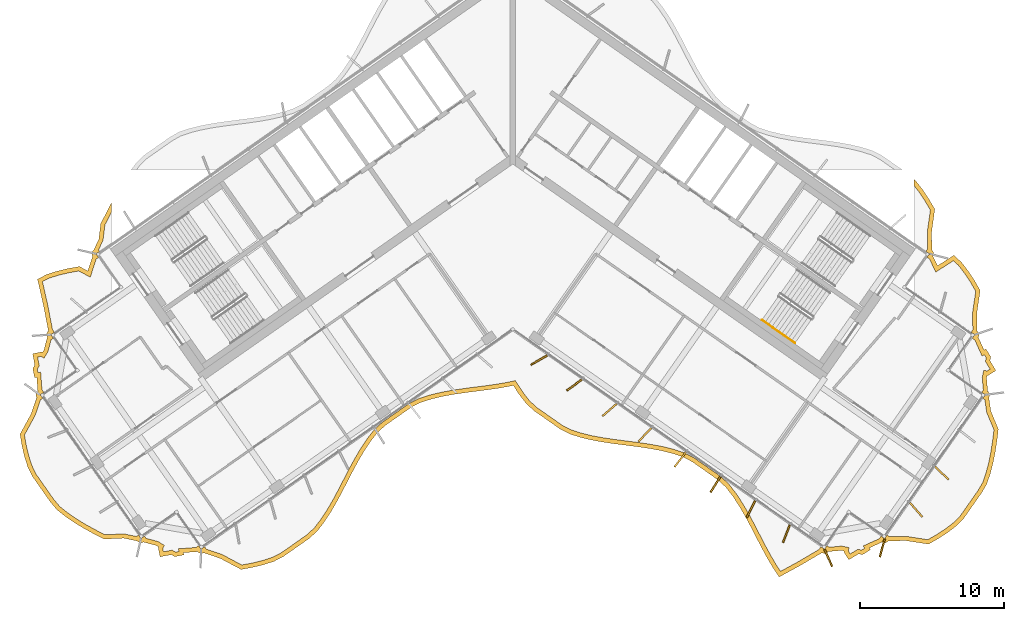
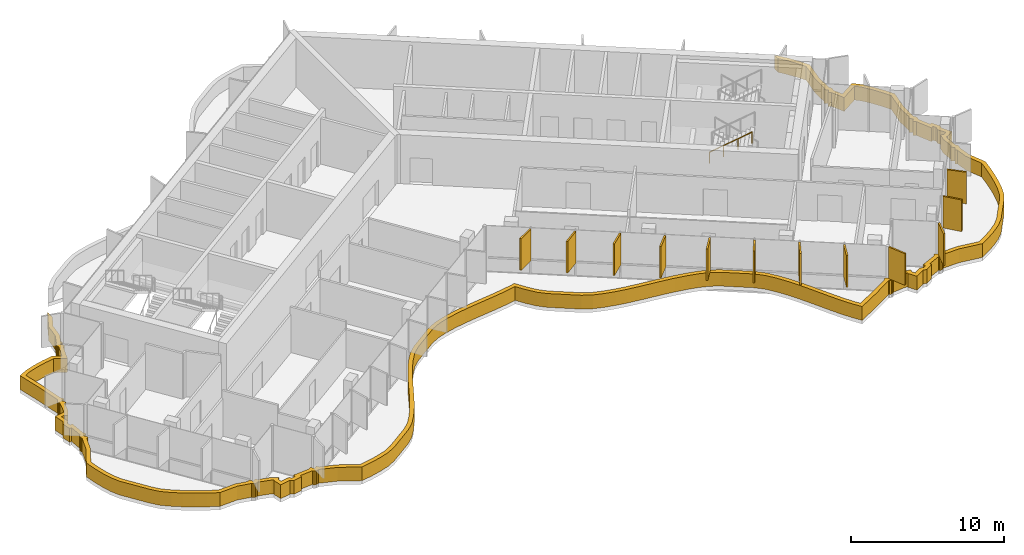
# One storey, part 18 of 20: 13 shading devices, 1 railing.
"""IFC4 building model written with IfcOpenShell, lengths in metres."""

from ifc_helpers import new_model, si_unit, direction, frame, origin, origin_2d, place, context, subcontext, project, spatial, polyline, rectangle, circle, outline, extrude, material, layer, layer_set, type_object, element, save


model = new_model("IFC4")

# Units and contexts
model_context = context("Model", 3, precision=1e-05, world=origin(), true_north=direction((0.0, 1.0)))
body_context = subcontext(model_context, "Body", "Model", "MODEL_VIEW")
ifc_project = project(units=[si_unit("LENGTHUNIT", "METRE"), si_unit("AREAUNIT", "SQUARE_METRE"), si_unit("VOLUMEUNIT", "CUBIC_METRE"), si_unit("PLANEANGLEUNIT", "RADIAN"), si_unit("MASSUNIT", "GRAM", prefix="KILO")], contexts=[model_context])

# Site, building, storey
site_placement = place(None, origin())
site = spatial("IfcSite", under=ifc_project, at=site_placement, CompositionType="ELEMENT")
building_placement = place(site_placement, origin())
building = spatial("IfcBuilding", under=site, at=building_placement, Name="Tel Ilan Convention Tower", CompositionType="ELEMENT")
storey_placement = place(building_placement, frame((0.0, 0.0, 233.199951171875)))
storey = spatial("IfcBuildingStorey", under=building, at=storey_placement, Name="L54", CompositionType="ELEMENT", Elevation=233.199951171875)

# Shading devices
ifc_material_1 = material(Name="Aluminium, bronze anodised", Category="aluminium")
ifc_layer_1 = layer(ifc_material_1, 0.1201171875)
ifc_layer_set_1 = layer_set([ifc_layer_1], Name="FIN BRONZE 1300x120")
shading_device_type_1 = type_object("IfcShadingDeviceType", Name="FIN BRONZE 1300x120", PredefinedType="USERDEFINED", material=ifc_layer_set_1)
for number, where, z_axis, x_axis, name in (
    (1, (1.830078125, -14.84912109375, 1.10009765625), (0.0, 0.0, 1.0), (-0.866025403784, -0.5, 0.0), "FIN"),
    (2, (4.2744140625, -16.583251953125, 1.10009765625), (0.0, 0.0, 1.0), (-0.813552070258, -0.581492071294, 0.0), "FIN"),
    (3, (6.723876953125, -18.3134765625, 1.10009765625), (0.0, 0.0, 1.0), (-0.753435896329, -0.657521368568, 0.0), "FIN"),
    (4, (9.177978515625, -20.039794921875, 1.10009765625), (0.0, 0.0, 1.0), (-0.686241637865, -0.727373641577, 0.0), "FIN"),
    (5, (11.636474609375, -21.761474609375, 1.10009765625), (0.0, 0.0, 1.0), (-0.612600545196, -0.790392669516, 0.0), "FIN"),
    (6, (14.09521484375, -23.483154296875, 1.10009765625), (0.0, 0.0, 1.0), (-0.533204432798, -0.845986425922, 0.0), "FIN"),
    (7, (16.553955078125, -25.20458984375, 1.10009765625), (0.0, 0.0, 1.0), (-0.448799180206, -0.893632640321, 0.0), "FIN"),
    (8, (19.015380859375, -26.920166015625, 1.10009765625), (0.0, 0.0, 1.0), (-0.360177724803, -0.932883704733, 0.0), "FIN"),
    (9, (21.930419921875, -28.595947265625, 1.10009765625), (0.0, 0.0, 1.0), (0.404964282034, -0.914332505315, 0.0), "FIN"),
    (10, (25.678955078125, -27.903564453125, 1.10009765625), (0.0, 0.0, 1.0), (-0.258819045103, -0.965925826289, 0.0), "FIN"),
    (11, (28.03125, -25.25048828125, 1.10009765625), (0.0, 0.0, 1.0), (0.657521368568, -0.753435896329, 0.0), "FIN"),
    (12, (29.8212890625, -22.705078125, 1.10009765625), (0.0, 0.0, 1.0), (0.727373641577, -0.686241637865, 0.0), "FIN"),
):
    element("IfcShadingDevice", number, at=place(storey_placement, frame(where, z_axis=z_axis, x_axis=x_axis)), inside=storey, type_object=shading_device_type_1, Name=name, ObjectType="FIN", PredefinedType="USERDEFINED", context=body_context, shape_type="SweptSolid", body=[
        extrude(rectangle(XDim=1.300048828125, YDim=0.1201171875, at=origin_2d()), origin(), (0.0, 0.0, 1.0), 2.52001953125),
    ])
ifc_material_2 = material(Name="Aluminium, bronze anodised", Category="aluminium")
ifc_layer_2 = layer(ifc_material_2, 0.300048828125)
ifc_layer_set_2 = layer_set([ifc_layer_2], Name="LOUVRE BAND 300x1100")
shading_device_type_2 = type_object("IfcShadingDeviceType", Name="LOUVRE BAND 300x1100", PredefinedType="USERDEFINED", material=ifc_layer_set_2)
shading_device_placement = place(storey_placement, origin())
element("IfcShadingDevice", 13, at=shading_device_placement, inside=storey, type_object=shading_device_type_2, Name="LOUVRE BAND 42.01", ObjectType="LOUVRE", PredefinedType="USERDEFINED", context=body_context, shape_type="SweptSolid", body=[
    extrude(outline(polyline([(-33.47021484375, -18.574462890625), (-34.248779296875, -19.995849609375), (-34.1181640625, -20.780517578125), (-33.940185546875, -21.531982421875), (-33.7158203125, -22.2509765625), (-33.401611328125, -22.906982421875), (-32.166748046875, -24.670654296875), (-31.707763671875, -25.22509765625), (-31.125732421875, -25.69384765625), (-30.49462890625, -26.1279296875), (-29.82373046875, -26.5341796875), (-29.12353515625, -26.920166015625), (-28.398193359375, -27.288330078125), (-27.05419921875, -27.223388671875), (-26.083984375, -27.420166015625), (-26.05517578125, -27.46337890625), (-25.957763671875, -27.5283203125), (-25.843017578125, -27.55126953125), (-25.728271484375, -27.5283203125), (-25.674072265625, -27.492431640625), (-24.7724609375, -27.73388671875), (-24.61669921875, -27.828857421875), (-24.64697265625, -27.878662109375), (-24.51416015625, -28.518310546875), (-23.728759765625, -28.3701171875), (-23.49462890625, -28.5126953125), (-22.855224609375, -28.3798828125), (-22.8828125, -28.233154296875), (-21.90576171875, -28.15673828125), (-21.876953125, -28.2001953125), (-21.779541015625, -28.26513671875), (-21.664794921875, -28.2880859375), (-21.550048828125, -28.26513671875), (-21.49609375, -28.22900390625), (-20.311279296875, -28.64013671875), (-18.883544921875, -29.3984375), (-18.087646484375, -29.25439453125), (-17.32080078125, -29.068359375), (-16.588623046875, -28.833251953125), (-15.931640625, -28.490478515625), (-14.12646484375, -27.226318359375), (-13.582763671875, -26.721923828125), (-13.1123046875, -26.113037109375), (-12.67626953125, -25.454833984375), (-12.267333984375, -24.7578125), (-11.877197265625, -24.033935546875), (-11.11572265625, -22.56005859375), (-10.724853515625, -21.83740234375), (-10.314697265625, -21.142333984375), (-9.877197265625, -20.486572265625), (-9.404541015625, -19.88037109375), (-8.85498046875, -19.384765625), (-7.049560546875, -18.12060546875), (-6.386474609375, -17.78662109375), (-5.65234375, -17.55419921875), (-4.884033203125, -17.370849609375), (-4.088623046875, -17.225830078125), (-3.274658203125, -17.107421875), (-1.629150390625, -16.895751953125), (-0.816650390625, -16.775146484375), (0.033203125, -16.6123046875), (0.470458984375, -17.269775390625), (0.94189453125, -17.877197265625), (1.488525390625, -18.377197265625), (3.2939453125, -19.641357421875), (3.953857421875, -19.979736328125), (4.68701171875, -20.213623046875), (5.45458984375, -20.398193359375), (6.24951171875, -20.5439453125), (7.06298828125, -20.6630859375), (8.70849609375, -20.87451171875), (9.521240234375, -20.99462890625), (10.314697265625, -21.142333984375), (11.080810546875, -21.329345703125), (11.811767578125, -21.56591796875), (12.4658203125, -21.912841796875), (14.27099609375, -23.177001953125), (14.811767578125, -23.685791015625), (15.28125, -24.29638671875), (15.71630859375, -24.95556640625), (16.12451171875, -25.653564453125), (16.51416015625, -26.3779296875), (17.27587890625, -27.851806640625), (17.6669921875, -28.573974609375), (18.077880859375, -29.26806640625), (18.5185546875, -29.91943359375), (19.969482421875, -29.128173828125), (21.49609375, -28.22900390625), (21.550048828125, -28.26513671875), (21.664794921875, -28.2880859375), (21.779541015625, -28.26513671875), (21.876953125, -28.2001953125), (21.90576171875, -28.15673828125), (22.8359375, -28.075439453125), (23.0146484375, -28.111328125), (23.003173828125, -28.168701171875), (23.3466796875, -28.72412109375), (24.0341796875, -28.316162109375), (24.302734375, -28.370361328125), (24.8583984375, -28.02685546875), (24.7822265625, -27.8984375), (25.674072265625, -27.492431640625), (25.728271484375, -27.5283203125), (25.843017578125, -27.55126953125), (25.957763671875, -27.5283203125), (26.05517578125, -27.46337890625), (26.083984375, -27.420166015625), (27.2958984375, -27.392578125), (28.897705078125, -27.637939453125), (29.59033203125, -27.246826171875), (30.235595703125, -26.82275390625), (30.83447265625, -26.365966796875), (31.343505859375, -25.846435546875), (32.578369140625, -24.082763671875), (32.942626953125, -23.461669921875), (33.183837890625, -22.75439453125), (33.376220703125, -22.012939453125), (33.5283203125, -21.243408203125), (33.6513671875, -20.45361328125), (33.749267578125, -19.64599609375), (33.228759765625, -18.405517578125), (33.081787109375, -17.426513671875), (33.11767578125, -17.372314453125), (33.140625, -17.257568359375), (33.11767578125, -17.142822265625), (33.052734375, -17.04541015625), (33.009521484375, -17.0166015625), (32.92822265625, -16.086669921875), (32.964111328125, -15.90771484375), (33.021240234375, -15.919189453125), (33.57666015625, -15.57568359375), (33.1689453125, -14.88818359375), (33.222900390625, -14.61962890625), (32.87939453125, -14.06396484375), (32.7509765625, -14.14013671875), (32.344970703125, -13.248291015625), (32.381103515625, -13.1943359375), (32.40380859375, -13.079345703125), (32.381103515625, -12.964599609375), (32.31591796875, -12.8671875), (32.272705078125, -12.83837890625), (32.248779296875, -11.6083984375), (32.485595703125, -10.006103515625), (32.0869140625, -9.3115234375), (31.6572265625, -8.661376953125), (31.194091796875, -8.05859375), (30.656494140625, -7.5625), (29.52001953125, -8.2939453125), (29.199951171875, -7.6279296875), (29.236083984375, -7.57373046875), (29.2587890625, -7.458984375), (29.236083984375, -7.34423828125), (29.1708984375, -7.246826171875), (29.127685546875, -7.218017578125), (29.10986328125, -5.95947265625), (29.331298828125, -4.35888671875), (28.922119140625, -3.659423828125), (28.48388671875, -3.001220703125), (28.0107421875, -2.392822265625), (27.874755859375, -2.269287109375), (27.874755859375, -2.70654296875), (28.240234375, -3.176513671875), (28.66748046875, -3.818359375), (29.02001953125, -4.420654296875), (28.809326171875, -5.941162109375), (28.829345703125, -7.12109375), (28.713134765625, -7.286865234375), (28.958740234375, -7.458984375), (28.787353515625, -7.705322265625), (28.9677734375, -7.83154296875), (29.395751953125, -8.730712890625), (30.62353515625, -7.9404296875), (30.971923828125, -8.26171875), (31.412841796875, -8.83544921875), (31.83154296875, -9.46923828125), (32.173583984375, -10.065185546875), (31.948486328125, -11.589599609375), (31.973876953125, -12.7421875), (31.858154296875, -12.9072265625), (32.103759765625, -13.079345703125), (31.932373046875, -13.32568359375), (32.110107421875, -13.449951171875), (32.615478515625, -14.5693359375), (32.779052734375, -14.472412109375), (32.905517578125, -14.676513671875), (32.85205078125, -14.942138671875), (33.16845703125, -15.475341796875), (32.964111328125, -15.6015625), (32.72900390625, -15.554443359375), (32.62548828125, -16.0703125), (32.703857421875, -16.9296875), (32.594970703125, -17.08544921875), (32.840576171875, -17.257568359375), (32.669189453125, -17.50390625), (32.80810546875, -17.60107421875), (32.937255859375, -18.486328125), (33.44189453125, -19.68896484375), (33.354248046875, -20.412353515625), (33.23291015625, -21.191162109375), (33.08349609375, -21.9462890625), (32.896240234375, -22.668212890625), (32.66845703125, -23.3359375), (32.32568359375, -23.920654296875), (31.112060546875, -25.654052734375), (30.63525390625, -26.140625), (30.06201171875, -26.577880859375), (29.43408203125, -26.99072265625), (28.840576171875, -27.32568359375), (27.31494140625, -27.091796875), (26.179931640625, -27.120849609375), (26.01513671875, -27.005615234375), (25.843017578125, -27.251220703125), (25.5966796875, -27.079833984375), (25.472412109375, -27.257568359375), (24.35302734375, -27.762939453125), (24.4501953125, -27.926513671875), (24.245849609375, -28.052734375), (23.980224609375, -27.99951171875), (23.447021484375, -28.31591796875), (23.32080078125, -28.111572265625), (23.367919921875, -27.87646484375), (22.85205078125, -27.772705078125), (21.99267578125, -27.851318359375), (21.8369140625, -27.7421875), (21.664794921875, -27.988037109375), (21.418701171875, -27.816650390625), (21.284423828125, -28.008056640625), (19.82177734375, -28.866943359375), (18.6142578125, -29.525634765625), (18.331298828125, -29.107666015625), (17.92822265625, -28.426025390625), (17.541015625, -27.71142578125), (16.779541015625, -26.238037109375), (16.38623046875, -25.506591796875), (15.97119140625, -24.797119140625), (15.525634765625, -24.1220703125), (15.034912109375, -23.48388671875), (14.4609375, -22.94384765625), (12.62255859375, -21.656494140625), (11.92919921875, -21.288818359375), (11.16259765625, -21.04052734375), (10.3779296875, -20.848876953125), (9.570556640625, -20.69873046875), (8.749755859375, -20.577392578125), (7.103759765625, -20.36572265625), (6.29833984375, -20.248046875), (5.516845703125, -20.1044921875), (4.767822265625, -19.924560546875), (4.068603515625, -19.701416015625), (3.44921875, -19.3837890625), (1.6767578125, -18.142822265625), (1.163330078125, -17.673095703125), (0.714111328125, -17.094482421875), (0.165771484375, -16.269775390625), (-0.087890625, -16.33349609375), (-0.866455078125, -16.479248046875), (-1.67041015625, -16.5986328125), (-3.315185546875, -16.81005859375), (-4.136962890625, -16.9296875), (-4.945556640625, -17.0771484375), (-5.732666015625, -17.264892578125), (-6.5, -17.5078125), (-7.203857421875, -17.8623046875), (-9.042236328125, -19.1494140625), (-9.625, -19.67529296875), (-10.12060546875, -20.310791015625), (-10.56884765625, -20.982666015625), (-10.986083984375, -21.68994140625), (-11.380859375, -22.419677734375), (-12.142578125, -23.89404296875), (-12.529052734375, -24.61083984375), (-12.930908203125, -25.2958984375), (-13.356201171875, -25.938232421875), (-13.804931640625, -26.518798828125), (-14.315185546875, -26.992431640625), (-16.087890625, -28.233642578125), (-16.704833984375, -28.555419921875), (-17.402099609375, -28.779541015625), (-18.149658203125, -28.960693359375), (-18.83447265625, -29.084716796875), (-20.19140625, -28.3642578125), (-21.302978515625, -27.981689453125), (-21.418701171875, -27.816650390625), (-21.664794921875, -27.988037109375), (-21.8369140625, -27.7421875), (-22.01513671875, -27.8671875), (-23.239990234375, -27.959228515625), (-23.20458984375, -28.14599609375), (-23.439697265625, -28.19482421875), (-23.671142578125, -28.053955078125), (-24.2802734375, -28.1689453125), (-24.3291015625, -27.933837890625), (-24.204345703125, -27.72900390625), (-24.65380859375, -27.455078125), (-25.48828125, -27.23486328125), (-25.5966796875, -27.079833984375), (-25.843017578125, -27.251220703125), (-26.01513671875, -27.005615234375), (-26.15478515625, -27.103271484375), (-27.03076171875, -26.921875), (-28.333251953125, -26.98486328125), (-28.983154296875, -26.65478515625), (-29.673583984375, -26.2744140625), (-30.331787109375, -25.8759765625), (-30.946533203125, -25.453125), (-31.495849609375, -25.010498046875), (-31.927978515625, -24.488525390625), (-33.141845703125, -22.755126953125), (-33.43603515625, -22.140869140625), (-33.650634765625, -21.45263671875), (-33.823974609375, -20.72119140625), (-33.935791015625, -20.048828125), (-33.1943359375, -18.6953125), (-32.833251953125, -17.61865234375), (-32.669189453125, -17.50390625), (-32.840576171875, -17.257568359375), (-32.594970703125, -17.08544921875), (-32.7197265625, -16.9072265625), (-32.811767578125, -15.6826171875), (-32.998779296875, -15.7177734375), (-33.047607421875, -15.482666015625), (-32.906494140625, -15.251220703125), (-33.021484375, -14.64208984375), (-32.786376953125, -14.59326171875), (-32.58154296875, -14.718017578125), (-32.3076171875, -14.268798828125), (-32.087646484375, -13.434326171875), (-31.932373046875, -13.32568359375), (-32.103759765625, -13.079345703125), (-31.858154296875, -12.9072265625), (-31.993408203125, -12.714111328125), (-32.314697265625, -11.033447265625), (-32.68798828125, -9.385986328125), (-32.26708984375, -9.168701171875), (-31.5771484375, -8.950439453125), (-30.838623046875, -8.77392578125), (-30.161376953125, -8.65625), (-29.363525390625, -9.087646484375), (-28.950439453125, -7.8193359375), (-28.787353515625, -7.705322265625), (-28.958740234375, -7.458984375), (-28.713134765625, -7.286865234375), (-28.785888671875, -7.182861328125), (-28.480224609375, -6.525634765625), (-28.343994140625, -5.44384765625), (-27.874755859375, -4.536376953125), (-27.874755859375, -3.881103515625), (-28.635009765625, -5.353271484375), (-28.772216796875, -6.441650390625), (-29.127685546875, -7.218017578125), (-29.1708984375, -7.246826171875), (-29.236083984375, -7.34423828125), (-29.2587890625, -7.458984375), (-29.236083984375, -7.57373046875), (-29.199951171875, -7.6279296875), (-29.537353515625, -8.652587890625), (-30.110107421875, -8.3427734375), (-30.899169921875, -8.47998046875), (-31.6572265625, -8.661376953125), (-32.3818359375, -8.890380859375), (-33.031982421875, -9.225830078125), (-32.6083984375, -11.094970703125), (-32.272705078125, -12.83837890625), (-32.31591796875, -12.8671875), (-32.381103515625, -12.964599609375), (-32.40380859375, -13.079345703125), (-32.381103515625, -13.1943359375), (-32.344970703125, -13.248291015625), (-32.586669921875, -14.14990234375), (-32.681640625, -14.3056640625), (-32.7314453125, -14.275390625), (-33.370849609375, -14.408203125), (-33.22265625, -15.193603515625), (-33.365478515625, -15.427734375), (-33.232666015625, -16.067138671875), (-33.0859375, -16.03955078125), (-33.009521484375, -17.0166015625), (-33.052734375, -17.04541015625), (-33.11767578125, -17.142822265625), (-33.140625, -17.257568359375), (-33.11767578125, -17.372314453125), (-33.081787109375, -17.426513671875), (-33.47021484375, -18.574462890625)])), origin(), (0.0, 0.0, 1.0), 1.10009765625),
])

# Railing
ifc_material_3 = material(Name="Stainless Steel Grade 316", Category="steel")
railing_type = type_object("IfcRailingType", Name="Stainless Steel Stair Handrail 900 mm", PredefinedType="HANDRAIL", material=ifc_material_3)
railing_placement = place(storey_placement, frame((17.312744140625, -12.0615234375, 2.12744140625)))
element("IfcRailing", 14, at=railing_placement, inside=storey, type_object=railing_type, Name="L54 S4 stair handrail 2", PredefinedType="HANDRAIL", context=body_context, shape_type="SweptSolid", body=[
    extrude(circle(Radius=0.02392578125, at=origin_2d()), frame((0.0, 0.0, 0.8759765625), z_axis=(0.692123088272, -0.484596665743, 0.534912798717), x_axis=(0.573550118428, 0.819170471667, 0.0)), (0.0, 0.0, 1.0), 3.31396484375),
    extrude(circle(Radius=0.02099609375, at=origin_2d()), origin(), (0.0, 0.0, 1.0), 0.851806640625),
    extrude(circle(Radius=0.02099609375, at=origin_2d()), frame((0.7646484375, -0.535400390625, 0.5908203125)), (0.0, 0.0, 1.0), 0.851806640625),
    extrude(circle(Radius=0.02099609375, at=origin_2d()), frame((1.529052734375, -1.070556640625, 1.181884765625)), (0.0, 0.0, 1.0), 0.851806640625),
    extrude(circle(Radius=0.02099609375, at=origin_2d()), frame((2.293701171875, -1.60595703125, 1.772705078125)), (0.0, 0.0, 1.0), 0.851806640625),
])

save(model, "model.ifc")
